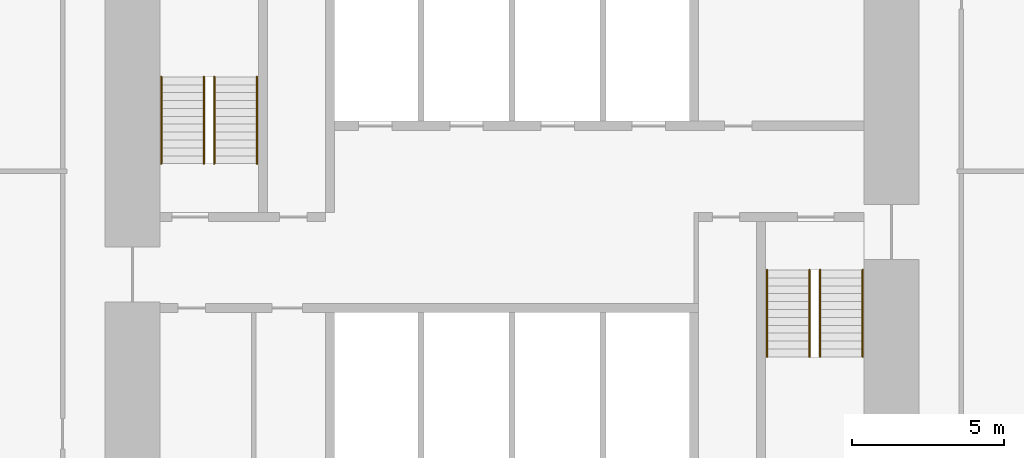
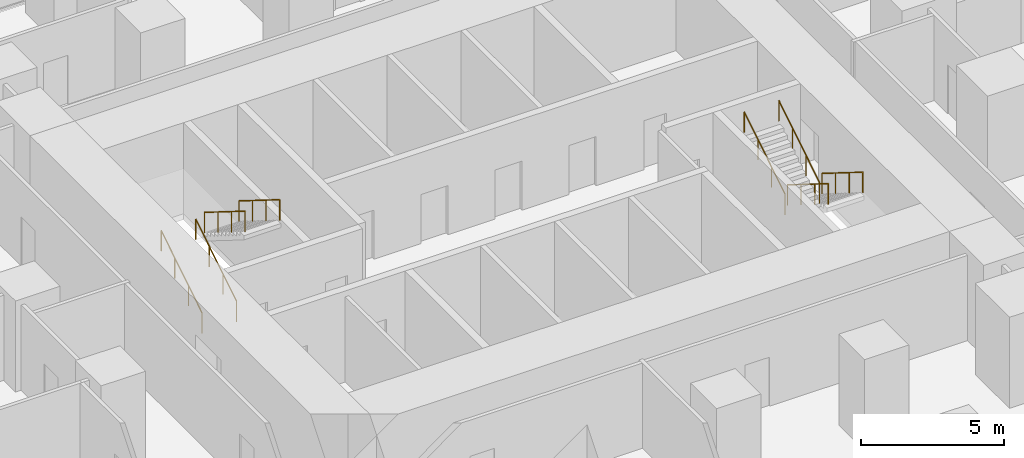
# One storey, part 12 of 12: 8 railings.
"""IFC4 building model written with IfcOpenShell, lengths in metres."""

from ifc_helpers import new_model, si_unit, direction, frame, origin, origin_2d, place, context, subcontext, project, spatial, circle, extrude, material, type_object, element, save


model = new_model("IFC4")

# Units and contexts
model_context = context("Model", 3, precision=1e-05, world=origin(), true_north=direction((0.0, 1.0)))
body_context = subcontext(model_context, "Body", "Model", "MODEL_VIEW")
ifc_project = project(units=[si_unit("LENGTHUNIT", "METRE"), si_unit("AREAUNIT", "SQUARE_METRE"), si_unit("VOLUMEUNIT", "CUBIC_METRE"), si_unit("PLANEANGLEUNIT", "RADIAN"), si_unit("MASSUNIT", "GRAM", prefix="KILO")], contexts=[model_context])

# Site, building, storey
site_placement = place(None, origin())
site = spatial("IfcSite", under=ifc_project, at=site_placement, CompositionType="ELEMENT")
building_placement = place(site_placement, origin())
building = spatial("IfcBuilding", under=site, at=building_placement, Name="Highveld Stack Headquarters", CompositionType="ELEMENT")
storey_placement = place(building_placement, frame((0.0, 0.0, 45.5)))
storey = spatial("IfcBuildingStorey", under=building, at=storey_placement, Name="L10", CompositionType="ELEMENT", Elevation=45.5)

# Railings
ifc_material = material(Name="Stainless steel handrail", Category="steel")
railing_type = type_object("IfcRailingType", Name="STAIR HANDRAIL HR1 900", PredefinedType="HANDRAIL", material=ifc_material)
for number, where, name in (
    (1, (-5.550048828125, 4.75, 0.16259765625), "Handrail S1 L10 flight 1"),
    (2, (-4.14990234375, 4.75, 0.16259765625), "Handrail S1 L10 flight 1"),
):
    element("IfcRailing", number, at=place(storey_placement, frame(where)), inside=storey, type_object=railing_type, Name=name, PredefinedType="HANDRAIL", context=body_context, shape_type="SweptSolid", body=[
        extrude(circle(Radius=0.02392578125, at=origin_2d()), frame((0.0, 0.0, 0.8759765625), z_axis=(0.0, 0.848026770018, 0.529953391661), x_axis=(-1.0, 0.0, 0.0)), (0.0, 0.0, 1.0), 3.37255859375),
        extrude(circle(Radius=0.02099609375, at=origin_2d()), origin(), (0.0, 0.0, 1.0), 0.851806640625),
        extrude(circle(Radius=0.02099609375, at=origin_2d()), frame((0.0, 0.953369140625, 0.595703125)), (0.0, 0.0, 1.0), 0.851806640625),
        extrude(circle(Radius=0.02099609375, at=origin_2d()), frame((0.0, 1.90673828125, 1.191650390625)), (0.0, 0.0, 1.0), 0.851806640625),
        extrude(circle(Radius=0.02099609375, at=origin_2d()), frame((0.0, 2.860107421875, 1.787353515625)), (0.0, 0.0, 1.0), 0.851806640625),
    ])
for number, where, name in (
    (3, (-3.800048828125, 7.610107421875, 2.112548828125), "Handrail S1 L10 flight 2"),
    (4, (-2.39990234375, 7.610107421875, 2.112548828125), "Handrail S1 L10 flight 2"),
    (5, (16.14990234375, 1.25, 0.16259765625), "Handrail S2 L10 flight 1"),
    (6, (17.550048828125, 1.25, 0.16259765625), "Handrail S2 L10 flight 1"),
):
    element("IfcRailing", number, at=place(storey_placement, frame(where)), inside=storey, type_object=railing_type, Name=name, PredefinedType="HANDRAIL", context=body_context, shape_type="SweptSolid", body=[
        extrude(circle(Radius=0.02392578125, at=origin_2d()), frame((0.0, 0.0, 0.8759765625), z_axis=(0.0, -0.848026770018, 0.529953391661), x_axis=(1.0, 0.0, 0.0)), (0.0, 0.0, 1.0), 3.37255859375),
        extrude(circle(Radius=0.02099609375, at=origin_2d()), origin(), (0.0, 0.0, 1.0), 0.851806640625),
        extrude(circle(Radius=0.02099609375, at=origin_2d()), frame((0.0, -0.953369140625, 0.595703125)), (0.0, 0.0, 1.0), 0.851806640625),
        extrude(circle(Radius=0.02099609375, at=origin_2d()), frame((0.0, -1.90673828125, 1.191650390625)), (0.0, 0.0, 1.0), 0.851806640625),
        extrude(circle(Radius=0.02099609375, at=origin_2d()), frame((0.0, -2.860107421875, 1.787353515625)), (0.0, 0.0, 1.0), 0.851806640625),
    ])
for number, where, name in (
    (7, (14.39990234375, -1.610107421875, 2.112548828125), "Handrail S2 L10 flight 2"),
    (8, (15.800048828125, -1.610107421875, 2.112548828125), "Handrail S2 L10 flight 2"),
):
    element("IfcRailing", number, at=place(storey_placement, frame(where)), inside=storey, type_object=railing_type, Name=name, PredefinedType="HANDRAIL", context=body_context, shape_type="SweptSolid", body=[
        extrude(circle(Radius=0.02392578125, at=origin_2d()), frame((0.0, 0.0, 0.8759765625), z_axis=(0.0, 0.848026770018, 0.529953391661), x_axis=(-1.0, 0.0, 0.0)), (0.0, 0.0, 1.0), 3.37255859375),
        extrude(circle(Radius=0.02099609375, at=origin_2d()), origin(), (0.0, 0.0, 1.0), 0.851806640625),
        extrude(circle(Radius=0.02099609375, at=origin_2d()), frame((0.0, 0.953369140625, 0.595703125)), (0.0, 0.0, 1.0), 0.851806640625),
        extrude(circle(Radius=0.02099609375, at=origin_2d()), frame((0.0, 1.90673828125, 1.191650390625)), (0.0, 0.0, 1.0), 0.851806640625),
        extrude(circle(Radius=0.02099609375, at=origin_2d()), frame((0.0, 2.860107421875, 1.787353515625)), (0.0, 0.0, 1.0), 0.851806640625),
    ])

save(model, "model.ifc")
